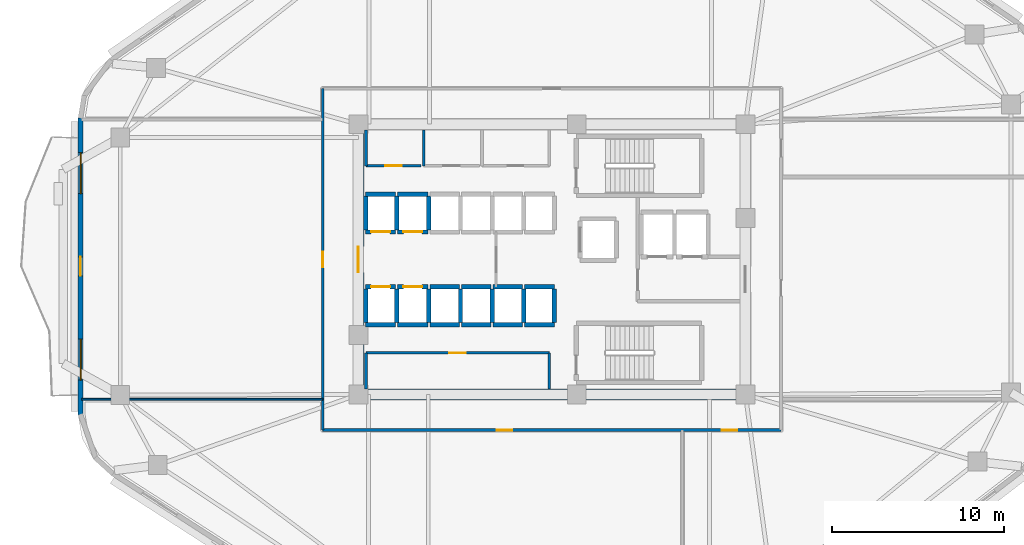
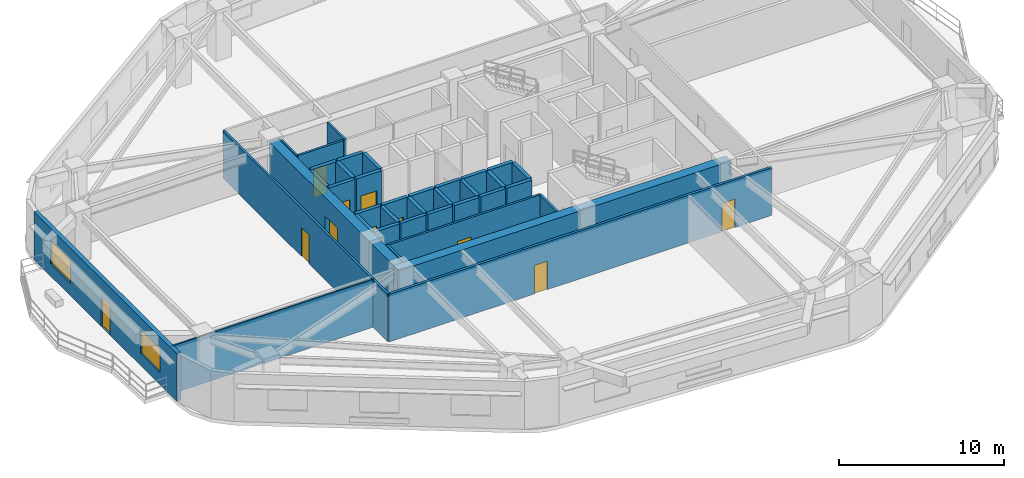
# One storey, part 3 of 9: 38 walls, 11 doors, 2 windows, 13 openings.
"""IFC4 building model written with IfcOpenShell, lengths in metres."""

import ifcopenshell
import ifcopenshell.guid

model = None  # the IFC model being written
_history = None  # IfcOwnerHistory: only IFC2X3 demands one
_inside = {}  # id of a spatial element -> (the spatial element, [elements in it])
_under = {}  # id of a project, library or spatial element -> (it, [spatial elements below it])
_declared = {}  # id of a project -> (the project, [libraries it declares])
_typed = {}  # id of a type object -> (the type object, [elements of that type])
_made_of = {}  # id of a material, layer set ... -> (it, [elements and type objects made of it])


def new_model(schema):
    """Start an empty IFC model of exactly this schema.

    Asked for "IFC4X3", IfcOpenShell would pick the latest addendum, in which some entities
    have other attributes; the version numbers below select the first issue.
    IFC2X3 requires an IfcOwnerHistory on every rooted entity: one is made here for all.
    """
    global model, _history
    if schema == "IFC4X3":
        model = ifcopenshell.file(schema_version=(4, 3, 0, 0))
    else:
        model = ifcopenshell.file(schema=schema)
    _inside.clear()
    _under.clear()
    _declared.clear()
    _typed.clear()
    _made_of.clear()
    _history = None
    if model.schema == "IFC2X3":
        org = make("IfcOrganization", Name="unknown")
        user = make(
            "IfcPersonAndOrganization",
            ThePerson=make("IfcPerson", FamilyName="unknown"),
            TheOrganization=org,
        )
        app = make(
            "IfcApplication",
            ApplicationDeveloper=org,
            Version="unknown",
            ApplicationFullName="unknown",
            ApplicationIdentifier="unknown",
        )
        _history = make(
            "IfcOwnerHistory",
            OwningUser=user,
            OwningApplication=app,
            ChangeAction="ADDED",
            CreationDate=0,
        )
    return model


def make(cls, **values):
    """One entity of the class cls with the attributes given. An attribute that is None is left unset."""
    return model.create_entity(
        cls, **{name: value for name, value in values.items() if value is not None}
    )


def rooted(cls, **values):
    """An entity with a GlobalId (a new one), such as an element, a storey or a relation."""
    return make(cls, GlobalId=ifcopenshell.guid.new(), OwnerHistory=_history, **values)


def si_unit(unit_type, name, prefix=None):
    """IfcSIUnit, for example si_unit("LENGTHUNIT", "METRE", prefix="MILLI")."""
    return make("IfcSIUnit", UnitType=unit_type, Prefix=prefix, Name=name)


def assignment(units):
    """IfcUnitAssignment: the units of a project."""
    return None if units is None else make("IfcUnitAssignment", Units=units)


def point(xyz):
    """IfcCartesianPoint."""
    return None if xyz is None else make("IfcCartesianPoint", Coordinates=xyz)


def direction(xyz):
    """IfcDirection."""
    return None if xyz is None else make("IfcDirection", DirectionRatios=xyz)


def frame(location, z_axis=None, x_axis=None):
    """IfcAxis2Placement3D, a coordinate frame: its origin and axes. An axis left out is left unset."""
    return make(
        "IfcAxis2Placement3D",
        Location=point(location),
        Axis=direction(z_axis),
        RefDirection=direction(x_axis),
    )


def frame_2d(location, x_axis=None):
    """IfcAxis2Placement2D, a coordinate frame in the plane: its origin and x axis."""
    return make(
        "IfcAxis2Placement2D", Location=point(location), RefDirection=direction(x_axis)
    )


def origin():
    """The frame at (0, 0, 0) with its axes left unset."""
    return frame((0.0, 0.0, 0.0))


def place(relative_to, where):
    """IfcLocalPlacement: puts the frame where relative to a parent placement (None: the world)."""
    return make(
        "IfcLocalPlacement", PlacementRelTo=relative_to, RelativePlacement=where
    )


def context(
    kind, dimensions, precision=None, world=None, true_north=None, identifier=None
):
    """IfcGeometricRepresentationContext, for example the 3D "Model" context."""
    return make(
        "IfcGeometricRepresentationContext",
        ContextIdentifier=identifier,
        ContextType=kind,
        CoordinateSpaceDimension=dimensions,
        Precision=precision,
        WorldCoordinateSystem=world,
        TrueNorth=true_north,
    )


def subcontext(parent, identifier, kind, view, scale=None):
    """IfcGeometricRepresentationSubContext, for example "Body" below "Model"."""
    return make(
        "IfcGeometricRepresentationSubContext",
        ContextIdentifier=identifier,
        ContextType=kind,
        ParentContext=parent,
        TargetScale=scale,
        TargetView=view,
    )


def project(units=None, contexts=None):
    """IfcProject with its units and contexts."""
    return rooted(
        "IfcProject",
        Name="project",
        RepresentationContexts=contexts,
        UnitsInContext=assignment(units),
    )


def spatial(cls, under=None, at=None, **own):
    """A site, building, storey or space (cls), placed at a placement, below another one or the project."""
    s = rooted(cls, ObjectPlacement=at, **own)
    if under is not None:
        _under.setdefault(under.id(), (under, []))[1].append(s)
    return s


def profile(cls, at=None, kind="AREA", **sizes):
    """A parametric profile (cls). Its sizes go by their IFC names, for example OverallWidth=200.0."""
    return make(cls, ProfileType=kind, Position=at, **sizes)


def rectangle(**sizes):
    """IfcRectangleProfileDef."""
    return profile("IfcRectangleProfileDef", **sizes)


def extrude(swept, where, along, depth):
    """IfcExtrudedAreaSolid: the profile swept, set in the frame where, extruded along a direction by depth."""
    return make(
        "IfcExtrudedAreaSolid",
        SweptArea=swept,
        Position=where,
        ExtrudedDirection=direction(along),
        Depth=depth,
    )


def shape(context_of_items, identifier, shape_type, items):
    """IfcShapeRepresentation: the items that make up one representation, for example the "Body"."""
    return make(
        "IfcShapeRepresentation",
        ContextOfItems=context_of_items,
        RepresentationIdentifier=identifier,
        RepresentationType=shape_type,
        Items=items,
    )


def material(Name=None, Category=None):
    """IfcMaterial."""
    return make("IfcMaterial", Name=Name, Category=Category)


def layer(
    of_material, thickness, ventilated=None, Name=None, Category=None, Priority=None
):
    """IfcMaterialLayer: one layer of a wall or slab, of a material (None: an air gap)."""
    return make(
        "IfcMaterialLayer",
        Material=of_material,
        LayerThickness=thickness,
        IsVentilated=ventilated,
        Name=Name,
        Category=Category,
        Priority=Priority,
    )


def layer_set(layers, Name=None):
    """IfcMaterialLayerSet."""
    return make("IfcMaterialLayerSet", MaterialLayers=layers, LayerSetName=Name)


def made_of(thing, what):
    """Note that an element or type object is made of a material, layer set ...; save() writes the relation."""
    if what is not None:
        _made_of.setdefault(what.id(), (what, []))[1].append(thing)
    return thing


def type_object(cls, material=None, **own):
    """A type object (cls), such as IfcWallType, which elements share."""
    return made_of(rooted(cls, **own), material)


def element(
    cls,
    number,
    at=None,
    inside=None,
    cuts=None,
    type_object=None,
    material=None,
    context=None,
    identifier="Body",
    shape_type=None,
    held_by="IfcProductDefinitionShape",
    body=None,
    shapes=None,
    **own,
):
    """One element of the class cls, such as IfcWall. Its Tag is "e" and its number.

    at: its placement. inside: the storey or other place that contains it. cuts: it is an
    opening in that element (IfcRelVoidsElement). A single representation is given by context,
    identifier, shape_type and body (its items); several are given by shapes. held_by: the class
    of the entity that holds the representations. save() writes the other relations.
    """
    e = rooted(cls, Tag="e%d" % number, ObjectPlacement=at, **own)
    if body is not None:
        shapes = [shape(context, identifier, shape_type, body)]
    if shapes is not None:
        e.Representation = make(held_by, Representations=shapes)
    if inside is not None:
        _inside.setdefault(inside.id(), (inside, []))[1].append(e)
    if cuts is not None:
        rooted(
            "IfcRelVoidsElement", RelatingBuildingElement=cuts, RelatedOpeningElement=e
        )
    if type_object is not None:
        _typed.setdefault(type_object.id(), (type_object, []))[1].append(e)
    return made_of(e, material)


def fill(opening, filler):
    """IfcRelFillsElement: the door or window that sits in an opening."""
    return rooted(
        "IfcRelFillsElement",
        RelatingOpeningElement=opening,
        RelatedBuildingElement=filler,
    )


def aggregate(whole, parts):
    """IfcRelAggregates: a whole, such as a stair, and the parts it consists of."""
    return rooted("IfcRelAggregates", RelatingObject=whole, RelatedObjects=parts)


def save(model, path):
    """Write the relations noted so far, then the file.

    IfcRelAggregates (storeys below a building ...), IfcRelContainedInSpatialStructure (elements
    in a storey), IfcRelDefinesByType, IfcRelAssociatesMaterial and IfcRelDeclares: one each for
    every whole, place, type object, material and project.
    """
    for whole, parts in _under.values():
        aggregate(whole, parts)
    for where, things in _inside.values():
        rooted(
            "IfcRelContainedInSpatialStructure",
            RelatedElements=things,
            RelatingStructure=where,
        )
    for kind, things in _typed.values():
        rooted("IfcRelDefinesByType", RelatedObjects=things, RelatingType=kind)
    for what, things in _made_of.values():
        rooted("IfcRelAssociatesMaterial", RelatedObjects=things, RelatingMaterial=what)
    for by, libraries in _declared.values():
        rooted("IfcRelDeclares", RelatingContext=by, RelatedDefinitions=libraries)
    model.write(path)


model = new_model("IFC4")

# Units and contexts
model_context = context("Model", 3, precision=1e-05, world=origin(), true_north=direction((0.0, 1.0)))
body_context = subcontext(model_context, "Body", "Model", "MODEL_VIEW")
ifc_project = project(units=[si_unit("LENGTHUNIT", "METRE"), si_unit("AREAUNIT", "SQUARE_METRE"), si_unit("VOLUMEUNIT", "CUBIC_METRE"), si_unit("PLANEANGLEUNIT", "RADIAN"), si_unit("MASSUNIT", "GRAM", prefix="KILO")], contexts=[model_context])

# Site, building, storey
site_placement = place(None, origin())
site = spatial("IfcSite", under=ifc_project, at=site_placement, CompositionType="ELEMENT")
building_placement = place(site_placement, origin())
building = spatial("IfcBuilding", under=site, at=building_placement, Name="Zulverin Broadcast Headquarters", CompositionType="ELEMENT")
storey_placement = place(building_placement, frame((0.0, 0.0, 104.800048828125)))
storey = spatial("IfcBuildingStorey", under=building, at=storey_placement, Name="L26", CompositionType="ELEMENT", Elevation=104.800048828125)

# Wall
ifc_material_1 = material(Name="Concrete C60/75", Category="concrete")
ifc_layer_1 = layer(ifc_material_1, 0.64990234375, Name="Concrete C60/75", Category="concrete")
ifc_layer_set_1 = layer_set([ifc_layer_1], Name="Concrete C60/75")
wall_type_1 = type_object("IfcWallType", Name="WL-CORE-650", PredefinedType="SHEAR", material=ifc_layer_set_1)
wall_1_placement = place(storey_placement, frame((25.39990234375, 17.324951171875, 0.0), z_axis=(0.0, 0.0, 1.0), x_axis=(1.0, 0.0, 0.0)))
element("IfcWall", 1, at=wall_1_placement, inside=storey, type_object=wall_type_1, Name="L26 Core South Shear Wall", PredefinedType="SHEAR", context=body_context, shape_type="SweptSolid", body=[
    extrude(rectangle(XDim=23.2001953125, YDim=0.64990234375, at=frame_2d((11.60009765625, 0.0))), origin(), (0.0, 0.0, 1.0), 3.52490234375),
])

# Wall, opening, door
wall_2_placement = place(storey_placement, frame((25.72509765625, 17.64990234375, 0.0), z_axis=(0.0, 0.0, 1.0), x_axis=(0.0, 1.0, 0.0)))
wall_2 = element("IfcWall", 2, at=wall_2_placement, inside=storey, type_object=wall_type_1, Name="L26 Core West Shear Wall", PredefinedType="SHEAR", context=body_context, shape_type="SweptSolid", body=[
    extrude(rectangle(XDim=15.10009765625, YDim=0.64990234375, at=frame_2d((7.550048828125, 0.0))), origin(), (0.0, 0.0, 1.0), 3.52490234375),
])
opening_1_placement = place(wall_2_placement, frame((6.800048828125, 0.0, 0.0)))
opening_1 = element("IfcOpeningElement", 3, at=opening_1_placement, cuts=wall_2, Name="Opening D-L26-CW1", PredefinedType="OPENING", context=body_context, shape_type="SweptSolid", body=[
    extrude(rectangle(XDim=1.5, YDim=2.14990234375, at=frame_2d((0.75, 1.074951171875))), frame((0.0, 0.3349609375, 0.0), z_axis=(0.0, -1.0, 0.0), x_axis=(1.0, 0.0, 0.0)), (0.0, 0.0, 1.0), 0.669921875),
])
ifc_material_2 = material(Name="Fire-rated glazed steel frame", Category="steel")
door_type_1 = type_object("IfcDoorType", Name="DR-COR-1500", OperationType="DOUBLE_DOOR_SINGLE_SWING", PredefinedType="DOOR", material=ifc_material_2)
door_1_placement = place(opening_1_placement, origin())
door_1 = element("IfcDoor", 4, at=door_1_placement, inside=storey, type_object=door_type_1, Name="L26 Central Lift Lobby West Portal Door", OperationType="DOUBLE_DOOR_SINGLE_SWING", OverallHeight=2.14990234375, OverallWidth=1.5, PredefinedType="DOOR", context=body_context, shape_type="SweptSolid", body=[
    extrude(rectangle(XDim=1.5, YDim=2.14990234375, at=frame_2d((0.75, 1.074951171875))), frame((0.0, 0.02490234375, 0.0), z_axis=(0.0, -1.0, 0.0), x_axis=(1.0, 0.0, 0.0)), (0.0, 0.0, 1.0), 0.050048828125),
])
fill(opening_1, door_1)

# Wall, openings, door, windows
ifc_material_3 = material(Name="Insulated pale-metal clad concrete spandrel C40/50", Category="concrete")
ifc_layer_2 = layer(ifc_material_3, 0.280029296875, Name="Insulated pale-metal clad concrete spandrel C40/50", Category="concrete")
ifc_layer_set_2 = layer_set([ifc_layer_2], Name="Insulated pale-metal clad concrete spandrel C40/50")
wall_type_2 = type_object("IfcWallType", Name="WL-EXT-280", PredefinedType="STANDARD", material=ifc_layer_set_2)
wall_3_placement = place(storey_placement, frame((9.5400390625, 33.4443359375, 0.0), z_axis=(0.0, 0.0, 1.0), x_axis=(0.0, -1.0, 0.0)))
wall_3 = element("IfcWall", 5, at=wall_3_placement, inside=storey, type_object=wall_type_2, Name="L26 Pale-Metal Clad Spandrel Wall 7", PredefinedType="STANDARD", context=body_context, shape_type="SweptSolid", body=[
    extrude(rectangle(XDim=17.30078125, YDim=0.280029296875, at=frame_2d((8.650390625, 0.0))), origin(), (0.0, 0.0, 1.0), 3.52490234375),
])
opening_2_placement = place(wall_3_placement, frame((8.100341796875, 0.0, 0.0)))
opening_2 = element("IfcOpeningElement", 6, at=opening_2_placement, cuts=wall_3, Name="Opening D-L26-TR7", PredefinedType="OPENING", context=body_context, shape_type="SweptSolid", body=[
    extrude(rectangle(XDim=1.10009765625, YDim=2.199951171875, at=frame_2d((0.550048828125, 1.10009765625))), frame((0.0, 0.14990234375, 0.0), z_axis=(0.0, -1.0, 0.0), x_axis=(1.0, 0.0, 0.0)), (0.0, 0.0, 1.0), 0.300048828125),
])
opening_3_placement = place(wall_3_placement, frame((2.016845703125, 0.0, 0.89990234375)))
opening_3 = element("IfcOpeningElement", 7, at=opening_3_placement, cuts=wall_3, Name="Opening W-L26-E71", PredefinedType="OPENING", context=body_context, shape_type="SweptSolid", body=[
    extrude(rectangle(XDim=2.39990234375, YDim=1.75, at=frame_2d((1.199951171875, 0.875))), frame((0.0, 0.14990234375, 0.0), z_axis=(0.0, -1.0, 0.0), x_axis=(1.0, 0.0, 0.0)), (0.0, 0.0, 1.0), 0.300048828125),
])
opening_4_placement = place(wall_3_placement, frame((12.884033203125, 0.0, 0.89990234375)))
opening_4 = element("IfcOpeningElement", 8, at=opening_4_placement, cuts=wall_3, Name="Opening W-L26-E72", PredefinedType="OPENING", context=body_context, shape_type="SweptSolid", body=[
    extrude(rectangle(XDim=2.39990234375, YDim=1.75, at=frame_2d((1.199951171875, 0.875))), frame((0.0, 0.14990234375, 0.0), z_axis=(0.0, -1.0, 0.0), x_axis=(1.0, 0.0, 0.0)), (0.0, 0.0, 1.0), 0.300048828125),
])
ifc_material_4 = material(Name="Thermally broken aluminium glazed", Category="aluminium")
door_type_2 = type_object("IfcDoorType", Name="DR-TERR-1100", OperationType="SINGLE_SWING_RIGHT", PredefinedType="DOOR", material=ifc_material_4)
door_2_placement = place(opening_2_placement, origin())
door_2 = element("IfcDoor", 9, at=door_2_placement, inside=storey, type_object=door_type_2, Name="L26 Planted Terrace Glazed Access Door 7", OperationType="SINGLE_SWING_RIGHT", OverallHeight=2.199951171875, OverallWidth=1.10009765625, PredefinedType="DOOR", context=body_context, shape_type="SweptSolid", body=[
    extrude(rectangle(XDim=1.10009765625, YDim=2.199951171875, at=frame_2d((0.550048828125, 1.10009765625))), frame((0.0, 0.02490234375, 0.0), z_axis=(0.0, -1.0, 0.0), x_axis=(1.0, 0.0, 0.0)), (0.0, 0.0, 1.0), 0.050048828125),
])
fill(opening_2, door_2)
ifc_material_5 = material(Name="Pale anodized aluminium frame with solar-control low-E double glazing", Category="aluminium")
window_type = type_object("IfcWindowType", Name="WIN-RIB-2400", PartitioningType="SINGLE_PANEL", PredefinedType="WINDOW", material=ifc_material_5)
window_1_placement = place(opening_3_placement, origin())
window_1 = element("IfcWindow", 10, at=window_1_placement, inside=storey, type_object=window_type, Name="L26 Ribbon Glazing Window 7 1", OverallHeight=1.75, OverallWidth=2.39990234375, PartitioningType="SINGLE_PANEL", PredefinedType="WINDOW", context=body_context, shape_type="SweptSolid", body=[
    extrude(rectangle(XDim=2.39990234375, YDim=1.75, at=frame_2d((1.199951171875, 0.875))), frame((0.0, 0.030029296875, 0.0), z_axis=(0.0, -1.0, 0.0), x_axis=(1.0, 0.0, 0.0)), (0.0, 0.0, 1.0), 0.06005859375),
])
fill(opening_3, window_1)
window_2_placement = place(opening_4_placement, origin())
window_2 = element("IfcWindow", 11, at=window_2_placement, inside=storey, type_object=window_type, Name="L26 Ribbon Glazing Window 7 2", OverallHeight=1.75, OverallWidth=2.39990234375, PartitioningType="SINGLE_PANEL", PredefinedType="WINDOW", context=body_context, shape_type="SweptSolid", body=[
    extrude(rectangle(XDim=2.39990234375, YDim=1.75, at=frame_2d((1.199951171875, 0.875))), frame((0.0, 0.030029296875, 0.0), z_axis=(0.0, -1.0, 0.0), x_axis=(1.0, 0.0, 0.0)), (0.0, 0.0, 1.0), 0.06005859375),
])
fill(opening_4, window_2)

# Wall
ifc_material_6 = material(Name="Fire-rated acoustic laminated glass screen", Category="glass")
ifc_layer_3 = layer(ifc_material_6, 0.10009765625, Name="Fire-rated acoustic laminated glass screen", Category="glass")
ifc_layer_set_3 = layer_set([ifc_layer_3], Name="Fire-rated acoustic laminated glass screen")
wall_type_3 = type_object("IfcWallType", Name="WL-GLAZ-100", PredefinedType="PARTITIONING", material=ifc_layer_set_3)
wall_4_placement = place(storey_placement, frame((9.60498046875, 17.050048828125, 0.0), z_axis=(0.0, 0.0, 1.0), x_axis=(1.0, 0.0, 0.0)))
element("IfcWall", 12, at=wall_4_placement, inside=storey, type_object=wall_type_3, Name="L26 Room Partition Wall RP-05", PredefinedType="PARTITIONING", context=body_context, shape_type="SweptSolid", body=[
    extrude(rectangle(XDim=14.044921875, YDim=0.10009765625, at=frame_2d((7.0224609375, 0.0))), origin(), (0.0, 0.0, 1.0), 3.52490234375),
])

# Wall, opening, door
ifc_material_7 = material(Name="Fire-rated gypsum stud partition", Category="gypsum")
ifc_layer_4 = layer(ifc_material_7, 0.14990234375, Name="Fire-rated gypsum stud partition", Category="gypsum")
ifc_layer_set_4 = layer_set([ifc_layer_4], Name="Fire-rated gypsum stud partition")
wall_type_4 = type_object("IfcWallType", Name="WL-PART-150", PredefinedType="PARTITIONING", material=ifc_layer_set_4)
wall_5_placement = place(storey_placement, frame((26.169921875, 30.64990234375, 0.0), z_axis=(0.0, 0.0, 1.0), x_axis=(1.0, 0.0, 0.0)))
wall_5 = element("IfcWall", 13, at=wall_5_placement, inside=storey, type_object=wall_type_4, Name="L26 Core Accessible WC Front Wall", PredefinedType="PARTITIONING", context=body_context, shape_type="SweptSolid", body=[
    extrude(rectangle(XDim=3.2001953125, YDim=0.14990234375, at=frame_2d((1.60009765625, 0.0))), origin(), (0.0, 0.0, 1.0), 3.52490234375),
])
opening_5_placement = place(wall_5_placement, frame((1.125, 0.0, 0.0)))
opening_5 = element("IfcOpeningElement", 14, at=opening_5_placement, cuts=wall_5, Name="Opening D-L26-NC1", PredefinedType="OPENING", context=body_context, shape_type="SweptSolid", body=[
    extrude(rectangle(XDim=0.949951171875, YDim=2.10009765625, at=frame_2d((0.47509765625, 1.050048828125))), frame((0.0, 0.0849609375, 0.0), z_axis=(0.0, -1.0, 0.0), x_axis=(1.0, 0.0, 0.0)), (0.0, 0.0, 1.0), 0.169921875),
])
ifc_material_8 = material(Name="Fire-rated moisture-resistant laminate leaf", Category="wood")
door_type_3 = type_object("IfcDoorType", Name="DR-WC-950", OperationType="SINGLE_SWING_LEFT", PredefinedType="DOOR", material=ifc_material_8)
door_3_placement = place(opening_5_placement, origin())
door_3 = element("IfcDoor", 15, at=door_3_placement, inside=storey, type_object=door_type_3, Name="L26 Accessible WC Door", OperationType="SINGLE_SWING_LEFT", OverallHeight=2.10009765625, OverallWidth=0.949951171875, PredefinedType="DOOR", context=body_context, shape_type="SweptSolid", body=[
    extrude(rectangle(XDim=0.949951171875, YDim=2.10009765625, at=frame_2d((0.47509765625, 1.050048828125))), frame((0.0, 0.02490234375, 0.0), z_axis=(0.0, -1.0, 0.0), x_axis=(1.0, 0.0, 0.0)), (0.0, 0.0, 1.0), 0.050048828125),
])
fill(opening_5, door_3)

# Walls
for number, where, z_axis, x_axis, name in (
    (16, (26.169921875, 30.64990234375, 0.0), (0.0, 0.0, 1.0), (0.0, 1.0, 0.0), "L26 Core Accessible WC West Wall"),
    (17, (29.530029296875, 30.64990234375, 0.0), (0.0, 0.0, 1.0), (0.0, 1.0, 0.0), "L26 Core Male WC West Wall"),
):
    element("IfcWall", number, at=place(storey_placement, frame(where, z_axis=z_axis, x_axis=x_axis)), inside=storey, type_object=wall_type_4, Name=name, PredefinedType="PARTITIONING", context=body_context, shape_type="SweptSolid", body=[
        extrude(rectangle(XDim=2.10009765625, YDim=0.14990234375, at=frame_2d((1.050048828125, 0.0))), origin(), (0.0, 0.0, 1.0), 3.52490234375),
    ])

# Wall, opening, door
wall_6_placement = place(storey_placement, frame((26.169921875, 19.75, 0.0), z_axis=(0.0, 0.0, 1.0), x_axis=(1.0, 0.0, 0.0)))
wall_6 = element("IfcWall", 18, at=wall_6_placement, inside=storey, type_object=wall_type_4, Name="L26 Core Female WC & Facilities Room Front Wall", PredefinedType="PARTITIONING", context=body_context, shape_type="SweptSolid", body=[
    extrude(rectangle(XDim=10.68017578125, YDim=0.14990234375, at=frame_2d((5.340087890625, 0.0))), origin(), (0.0, 0.0, 1.0), 3.52490234375),
])
opening_6_placement = place(wall_6_placement, frame((4.864990234375, 0.0, 0.0)))
opening_6 = element("IfcOpeningElement", 19, at=opening_6_placement, cuts=wall_6, Name="Opening D-L26-SC1", PredefinedType="OPENING", context=body_context, shape_type="SweptSolid", body=[
    extrude(rectangle(XDim=0.949951171875, YDim=2.10009765625, at=frame_2d((0.47509765625, 1.050048828125))), frame((0.0, 0.0849609375, 0.0), z_axis=(0.0, -1.0, 0.0), x_axis=(1.0, 0.0, 0.0)), (0.0, 0.0, 1.0), 0.169921875),
])
door_4_placement = place(opening_6_placement, origin())
door_4 = element("IfcDoor", 20, at=door_4_placement, inside=storey, type_object=door_type_3, Name="L26 Female WC & Facilities Room Door", OperationType="SINGLE_SWING_RIGHT", OverallHeight=2.10009765625, OverallWidth=0.949951171875, PredefinedType="DOOR", context=body_context, shape_type="SweptSolid", body=[
    extrude(rectangle(XDim=0.949951171875, YDim=2.10009765625, at=frame_2d((0.47509765625, 1.050048828125))), frame((0.0, 0.02490234375, 0.0), z_axis=(0.0, -1.0, 0.0), x_axis=(1.0, 0.0, 0.0)), (0.0, 0.0, 1.0), 0.050048828125),
])
fill(opening_6, door_4)

# Walls
for number, where, z_axis, x_axis, name in (
    (21, (26.169921875, 17.64990234375, 0.0), (0.0, 0.0, 1.0), (0.0, 1.0, 0.0), "L26 Core Female WC & Facilities Room West Wall"),
    (22, (36.85009765625, 17.64990234375, 0.0), (0.0, 0.0, 1.0), (0.0, 1.0, 0.0), "L26 Core Female WC & Facilities Room East Wall"),
):
    element("IfcWall", number, at=place(storey_placement, frame(where, z_axis=z_axis, x_axis=x_axis)), inside=storey, type_object=wall_type_4, Name=name, PredefinedType="PARTITIONING", context=body_context, shape_type="SweptSolid", body=[
        extrude(rectangle(XDim=2.10009765625, YDim=0.14990234375, at=frame_2d((1.050048828125, 0.0))), origin(), (0.0, 0.0, 1.0), 3.52490234375),
    ])

# Wall, opening, door
wall_7_placement = place(storey_placement, frame((23.64990234375, 15.25, 0.0), z_axis=(0.0, 0.0, 1.0), x_axis=(0.0, 1.0, 0.0)))
wall_7 = element("IfcWall", 23, at=wall_7_placement, inside=storey, type_object=wall_type_4, Name="L26 Gallery Partition Wall CG-03", PredefinedType="PARTITIONING", context=body_context, shape_type="SweptSolid", body=[
    extrude(rectangle(XDim=19.89990234375, YDim=0.14990234375, at=frame_2d((9.949951171875, 0.0))), origin(), (0.0, 0.0, 1.0), 3.52490234375),
])
opening_7_placement = place(wall_7_placement, frame((9.5, 0.0, 0.0)))
opening_7 = element("IfcOpeningElement", 24, at=opening_7_placement, cuts=wall_7, Name="Opening D-L26-04", PredefinedType="OPENING", context=body_context, shape_type="SweptSolid", body=[
    extrude(rectangle(XDim=0.89990234375, YDim=2.10009765625, at=frame_2d((0.449951171875, 1.050048828125))), frame((0.0, 0.0849609375, 0.0), z_axis=(0.0, -1.0, 0.0), x_axis=(1.0, 0.0, 0.0)), (0.0, 0.0, 1.0), 0.169921875),
])
ifc_material_9 = material(Name="Fire-rated hardwood veneer timber leaf", Category="wood")
door_type_4 = type_object("IfcDoorType", Name="DR-ROOM-900", OperationType="SINGLE_SWING_RIGHT", PredefinedType="DOOR", material=ifc_material_9)
door_5_placement = place(opening_7_placement, origin())
door_5 = element("IfcDoor", 25, at=door_5_placement, inside=storey, type_object=door_type_4, Name="L26 Media Library Gallery Door", OperationType="SINGLE_SWING_LEFT", OverallHeight=2.10009765625, OverallWidth=0.89990234375, PredefinedType="DOOR", context=body_context, shape_type="SweptSolid", body=[
    extrude(rectangle(XDim=0.89990234375, YDim=2.10009765625, at=frame_2d((0.449951171875, 1.050048828125))), frame((0.0, 0.02490234375, 0.0), z_axis=(0.0, -1.0, 0.0), x_axis=(1.0, 0.0, 0.0)), (0.0, 0.0, 1.0), 0.050048828125),
])
fill(opening_7, door_5)

# Wall, openings, doors
ifc_material_10 = material(Name="Fire-rated acoustic stud wall", Category="gypsum")
ifc_layer_5 = layer(ifc_material_10, 0.175048828125, Name="Fire-rated acoustic stud wall", Category="gypsum")
ifc_layer_set_5 = layer_set([ifc_layer_5], Name="Fire-rated acoustic stud wall")
wall_type_5 = type_object("IfcWallType", Name="WL-PART-175", PredefinedType="PARTITIONING", material=ifc_layer_set_5)
wall_8_placement = place(storey_placement, frame((23.64990234375, 15.25, 0.0), z_axis=(0.0, 0.0, 1.0), x_axis=(1.0, 0.0, 0.0)))
wall_8 = element("IfcWall", 26, at=wall_8_placement, inside=storey, type_object=wall_type_5, Name="L26 Gallery Partition Wall CG-04", PredefinedType="PARTITIONING", context=body_context, shape_type="SweptSolid", body=[
    extrude(rectangle(XDim=26.7001953125, YDim=0.175048828125, at=frame_2d((13.35009765625, 0.0))), origin(), (0.0, 0.0, 1.0), 3.52490234375),
])
opening_8_placement = place(wall_8_placement, frame((10.14501953125, 0.0, 0.0)))
opening_8 = element("IfcOpeningElement", 27, at=opening_8_placement, cuts=wall_8, Name="Opening D-L26-02", PredefinedType="OPENING", context=body_context, shape_type="SweptSolid", body=[
    extrude(rectangle(XDim=0.89990234375, YDim=2.10009765625, at=frame_2d((0.449951171875, 1.050048828125))), frame((0.0, 0.097412109375, 0.0), z_axis=(0.0, -1.0, 0.0), x_axis=(1.0, 0.0, 0.0)), (0.0, 0.0, 1.0), 0.195068359375),
])
opening_9_placement = place(wall_8_placement, frame((23.2548828125, 0.0, 0.0)))
opening_9 = element("IfcOpeningElement", 28, at=opening_9_placement, cuts=wall_8, Name="Opening D-L26-03", PredefinedType="OPENING", context=body_context, shape_type="SweptSolid", body=[
    extrude(rectangle(XDim=0.89990234375, YDim=2.10009765625, at=frame_2d((0.449951171875, 1.050048828125))), frame((0.0, 0.097412109375, 0.0), z_axis=(0.0, -1.0, 0.0), x_axis=(1.0, 0.0, 0.0)), (0.0, 0.0, 1.0), 0.195068359375),
])
door_6_placement = place(opening_8_placement, origin())
door_6 = element("IfcDoor", 29, at=door_6_placement, inside=storey, type_object=door_type_4, Name="L26 Editorial Meeting Room Door", OperationType="SINGLE_SWING_LEFT", OverallHeight=2.10009765625, OverallWidth=0.89990234375, PredefinedType="DOOR", context=body_context, shape_type="SweptSolid", body=[
    extrude(rectangle(XDim=0.89990234375, YDim=2.10009765625, at=frame_2d((0.449951171875, 1.050048828125))), frame((0.0, 0.02490234375, 0.0), z_axis=(0.0, -1.0, 0.0), x_axis=(1.0, 0.0, 0.0)), (0.0, 0.0, 1.0), 0.050048828125),
])
fill(opening_8, door_6)
door_7_placement = place(opening_9_placement, origin())
door_7 = element("IfcDoor", 30, at=door_7_placement, inside=storey, type_object=door_type_4, Name="L26 Staff Dining Canteen Door", OperationType="SINGLE_SWING_RIGHT", OverallHeight=2.10009765625, OverallWidth=0.89990234375, PredefinedType="DOOR", context=body_context, shape_type="SweptSolid", body=[
    extrude(rectangle(XDim=0.89990234375, YDim=2.10009765625, at=frame_2d((0.449951171875, 1.050048828125))), frame((0.0, 0.02490234375, 0.0), z_axis=(0.0, -1.0, 0.0), x_axis=(1.0, 0.0, 0.0)), (0.0, 0.0, 1.0), 0.050048828125),
])
fill(opening_9, door_7)

# Wall, opening, door
ifc_material_11 = material(Name="Concrete C50/60", Category="concrete")
ifc_layer_6 = layer(ifc_material_11, 0.25, Name="Concrete C50/60", Category="concrete")
ifc_layer_set_6 = layer_set([ifc_layer_6], Name="Concrete C50/60")
wall_type_6 = type_object("IfcWallType", Name="WL-SHAFT-250", PredefinedType="SHEAR", material=ifc_layer_set_6)
wall_9_placement = place(storey_placement, frame((26.14990234375, 26.800048828125, 0.0), z_axis=(0.0, 0.0, 1.0), x_axis=(1.0, 0.0, 0.0)))
wall_9 = element("IfcWall", 31, at=wall_9_placement, inside=storey, type_object=wall_type_6, Name="L26 Lift PL-L1 Shaft Wall S", PredefinedType="SHEAR", context=body_context, shape_type="SweptSolid", body=[
    extrude(rectangle(XDim=1.75, YDim=0.25, at=frame_2d((0.875, 0.0))), origin(), (0.0, 0.0, 1.0), 3.52490234375),
])
opening_10_placement = place(wall_9_placement, frame((0.324951171875, 0.0, 0.0)))
opening_10 = element("IfcOpeningElement", 32, at=opening_10_placement, cuts=wall_9, Name="Opening LD-PL-L1-L26", PredefinedType="OPENING", context=body_context, shape_type="SweptSolid", body=[
    extrude(rectangle(XDim=1.10009765625, YDim=2.14990234375, at=frame_2d((0.550048828125, 1.074951171875))), frame((0.0, 0.135009765625, 0.0), z_axis=(0.0, -1.0, 0.0), x_axis=(1.0, 0.0, 0.0)), (0.0, 0.0, 1.0), 0.27001953125),
])
ifc_material_12 = material(Name="Brushed stainless steel landing", Category="steel")
door_type_5 = type_object("IfcDoorType", Name="LD-PASS-1100", OperationType="DOUBLE_DOOR_SLIDING", PredefinedType="DOOR", material=ifc_material_12)
door_8_placement = place(opening_10_placement, origin())
door_8 = element("IfcDoor", 33, at=door_8_placement, inside=storey, type_object=door_type_5, Name="L26 Lift PL-L1 Sliding Landing Door", OperationType="DOUBLE_DOOR_SLIDING", OverallHeight=2.14990234375, OverallWidth=1.10009765625, PredefinedType="DOOR", context=body_context, shape_type="SweptSolid", body=[
    extrude(rectangle(XDim=1.10009765625, YDim=2.14990234375, at=frame_2d((0.550048828125, 1.074951171875))), frame((0.0, 0.02490234375, 0.0), z_axis=(0.0, -1.0, 0.0), x_axis=(1.0, 0.0, 0.0)), (0.0, 0.0, 1.0), 0.050048828125),
])
fill(opening_10, door_8)

# Walls
wall_10_placement = place(storey_placement, frame((26.14990234375, 29.0, 0.0), z_axis=(0.0, 0.0, 1.0), x_axis=(1.0, 0.0, 0.0)))
element("IfcWall", 34, at=wall_10_placement, inside=storey, type_object=wall_type_6, Name="L26 Lift PL-L1 Shaft Wall N", PredefinedType="SHEAR", context=body_context, shape_type="SweptSolid", body=[
    extrude(rectangle(XDim=1.75, YDim=0.25, at=frame_2d((0.875, 0.0))), origin(), (0.0, 0.0, 1.0), 3.52490234375),
])
for number, where, z_axis, x_axis, name in (
    (35, (26.14990234375, 26.919921875, 0.0), (0.0, 0.0, 1.0), (0.0, 1.0, 0.0), "L26 Lift PL-L1 Shaft Wall W"),
    (36, (27.9599609375, 26.919921875, 0.0), (0.0, 0.0, 1.0), (0.0, 1.0, 0.0), "L26 Lift PL-L1 Shaft Wall E"),
):
    element("IfcWall", number, at=place(storey_placement, frame(where, z_axis=z_axis, x_axis=x_axis)), inside=storey, type_object=wall_type_6, Name=name, PredefinedType="SHEAR", context=body_context, shape_type="SweptSolid", body=[
        extrude(rectangle(XDim=1.9599609375, YDim=0.25, at=frame_2d((0.97998046875, 0.0))), origin(), (0.0, 0.0, 1.0), 3.52490234375),
    ])

# Wall, opening, door
wall_11_placement = place(storey_placement, frame((28.02001953125, 26.800048828125, 0.0), z_axis=(0.0, 0.0, 1.0), x_axis=(1.0, 0.0, 0.0)))
wall_11 = element("IfcWall", 37, at=wall_11_placement, inside=storey, type_object=wall_type_6, Name="L26 Lift PL-L2 Shaft Wall S", PredefinedType="SHEAR", context=body_context, shape_type="SweptSolid", body=[
    extrude(rectangle(XDim=1.75, YDim=0.25, at=frame_2d((0.875, 0.0))), origin(), (0.0, 0.0, 1.0), 3.52490234375),
])
opening_11_placement = place(wall_11_placement, frame((0.324951171875, 0.0, 0.0)))
opening_11 = element("IfcOpeningElement", 38, at=opening_11_placement, cuts=wall_11, Name="Opening LD-PL-L2-L26", PredefinedType="OPENING", context=body_context, shape_type="SweptSolid", body=[
    extrude(rectangle(XDim=1.10009765625, YDim=2.14990234375, at=frame_2d((0.550048828125, 1.074951171875))), frame((0.0, 0.135009765625, 0.0), z_axis=(0.0, -1.0, 0.0), x_axis=(1.0, 0.0, 0.0)), (0.0, 0.0, 1.0), 0.27001953125),
])
door_9_placement = place(opening_11_placement, origin())
door_9 = element("IfcDoor", 39, at=door_9_placement, inside=storey, type_object=door_type_5, Name="L26 Lift PL-L2 Sliding Landing Door", OperationType="DOUBLE_DOOR_SLIDING", OverallHeight=2.14990234375, OverallWidth=1.10009765625, PredefinedType="DOOR", context=body_context, shape_type="SweptSolid", body=[
    extrude(rectangle(XDim=1.10009765625, YDim=2.14990234375, at=frame_2d((0.550048828125, 1.074951171875))), frame((0.0, 0.02490234375, 0.0), z_axis=(0.0, -1.0, 0.0), x_axis=(1.0, 0.0, 0.0)), (0.0, 0.0, 1.0), 0.050048828125),
])
fill(opening_11, door_9)

# Walls
wall_12_placement = place(storey_placement, frame((28.02001953125, 29.0, 0.0), z_axis=(0.0, 0.0, 1.0), x_axis=(1.0, 0.0, 0.0)))
element("IfcWall", 40, at=wall_12_placement, inside=storey, type_object=wall_type_6, Name="L26 Lift PL-L2 Shaft Wall N", PredefinedType="SHEAR", context=body_context, shape_type="SweptSolid", body=[
    extrude(rectangle(XDim=1.75, YDim=0.25, at=frame_2d((0.875, 0.0))), origin(), (0.0, 0.0, 1.0), 3.52490234375),
])
wall_13_placement = place(storey_placement, frame((29.8349609375, 26.919921875, 0.0), z_axis=(0.0, 0.0, 1.0), x_axis=(0.0, 1.0, 0.0)))
element("IfcWall", 41, at=wall_13_placement, inside=storey, type_object=wall_type_6, Name="L26 Lift PL-L2 Shaft Wall E", PredefinedType="SHEAR", context=body_context, shape_type="SweptSolid", body=[
    extrude(rectangle(XDim=1.9599609375, YDim=0.25, at=frame_2d((0.97998046875, 0.0))), origin(), (0.0, 0.0, 1.0), 3.52490234375),
])
wall_14_placement = place(storey_placement, frame((26.14990234375, 21.39990234375, 0.0), z_axis=(0.0, 0.0, 1.0), x_axis=(1.0, 0.0, 0.0)))
element("IfcWall", 42, at=wall_14_placement, inside=storey, type_object=wall_type_6, Name="L26 Lift PL-L3 Shaft Wall S", PredefinedType="SHEAR", context=body_context, shape_type="SweptSolid", body=[
    extrude(rectangle(XDim=1.75, YDim=0.25, at=frame_2d((0.875, 0.0))), origin(), (0.0, 0.0, 1.0), 3.52490234375),
])

# Wall, opening, door
wall_15_placement = place(storey_placement, frame((26.14990234375, 23.60009765625, 0.0), z_axis=(0.0, 0.0, 1.0), x_axis=(1.0, 0.0, 0.0)))
wall_15 = element("IfcWall", 43, at=wall_15_placement, inside=storey, type_object=wall_type_6, Name="L26 Lift PL-L3 Shaft Wall N", PredefinedType="SHEAR", context=body_context, shape_type="SweptSolid", body=[
    extrude(rectangle(XDim=1.75, YDim=0.25, at=frame_2d((0.875, 0.0))), origin(), (0.0, 0.0, 1.0), 3.52490234375),
])
opening_12_placement = place(wall_15_placement, frame((0.324951171875, 0.0, 0.0)))
opening_12 = element("IfcOpeningElement", 44, at=opening_12_placement, cuts=wall_15, Name="Opening LD-PL-L3-L26", PredefinedType="OPENING", context=body_context, shape_type="SweptSolid", body=[
    extrude(rectangle(XDim=1.10009765625, YDim=2.14990234375, at=frame_2d((0.550048828125, 1.074951171875))), frame((0.0, 0.135009765625, 0.0), z_axis=(0.0, -1.0, 0.0), x_axis=(1.0, 0.0, 0.0)), (0.0, 0.0, 1.0), 0.27001953125),
])
door_10_placement = place(opening_12_placement, origin())
door_10 = element("IfcDoor", 45, at=door_10_placement, inside=storey, type_object=door_type_5, Name="L26 Lift PL-L3 Sliding Landing Door", OperationType="DOUBLE_DOOR_SLIDING", OverallHeight=2.14990234375, OverallWidth=1.10009765625, PredefinedType="DOOR", context=body_context, shape_type="SweptSolid", body=[
    extrude(rectangle(XDim=1.10009765625, YDim=2.14990234375, at=frame_2d((0.550048828125, 1.074951171875))), frame((0.0, 0.02490234375, 0.0), z_axis=(0.0, -1.0, 0.0), x_axis=(1.0, 0.0, 0.0)), (0.0, 0.0, 1.0), 0.050048828125),
])
fill(opening_12, door_10)

# Walls
for number, where, z_axis, x_axis, name in (
    (46, (26.14990234375, 21.52001953125, 0.0), (0.0, 0.0, 1.0), (0.0, 1.0, 0.0), "L26 Lift PL-L3 Shaft Wall W"),
    (47, (27.9599609375, 21.52001953125, 0.0), (0.0, 0.0, 1.0), (0.0, 1.0, 0.0), "L26 Lift PL-L3 Shaft Wall E"),
):
    element("IfcWall", number, at=place(storey_placement, frame(where, z_axis=z_axis, x_axis=x_axis)), inside=storey, type_object=wall_type_6, Name=name, PredefinedType="SHEAR", context=body_context, shape_type="SweptSolid", body=[
        extrude(rectangle(XDim=1.9599609375, YDim=0.25, at=frame_2d((0.97998046875, 0.0))), origin(), (0.0, 0.0, 1.0), 3.52490234375),
    ])
wall_16_placement = place(storey_placement, frame((28.02001953125, 21.39990234375, 0.0), z_axis=(0.0, 0.0, 1.0), x_axis=(1.0, 0.0, 0.0)))
element("IfcWall", 48, at=wall_16_placement, inside=storey, type_object=wall_type_6, Name="L26 Lift PL-L4 Shaft Wall S", PredefinedType="SHEAR", context=body_context, shape_type="SweptSolid", body=[
    extrude(rectangle(XDim=1.75, YDim=0.25, at=frame_2d((0.875, 0.0))), origin(), (0.0, 0.0, 1.0), 3.52490234375),
])

# Wall, opening, door
wall_17_placement = place(storey_placement, frame((28.02001953125, 23.60009765625, 0.0), z_axis=(0.0, 0.0, 1.0), x_axis=(1.0, 0.0, 0.0)))
wall_17 = element("IfcWall", 49, at=wall_17_placement, inside=storey, type_object=wall_type_6, Name="L26 Lift PL-L4 Shaft Wall N", PredefinedType="SHEAR", context=body_context, shape_type="SweptSolid", body=[
    extrude(rectangle(XDim=1.75, YDim=0.25, at=frame_2d((0.875, 0.0))), origin(), (0.0, 0.0, 1.0), 3.52490234375),
])
opening_13_placement = place(wall_17_placement, frame((0.324951171875, 0.0, 0.0)))
opening_13 = element("IfcOpeningElement", 50, at=opening_13_placement, cuts=wall_17, Name="Opening LD-PL-L4-L26", PredefinedType="OPENING", context=body_context, shape_type="SweptSolid", body=[
    extrude(rectangle(XDim=1.10009765625, YDim=2.14990234375, at=frame_2d((0.550048828125, 1.074951171875))), frame((0.0, 0.135009765625, 0.0), z_axis=(0.0, -1.0, 0.0), x_axis=(1.0, 0.0, 0.0)), (0.0, 0.0, 1.0), 0.27001953125),
])
door_11_placement = place(opening_13_placement, origin())
door_11 = element("IfcDoor", 51, at=door_11_placement, inside=storey, type_object=door_type_5, Name="L26 Lift PL-L4 Sliding Landing Door", OperationType="DOUBLE_DOOR_SLIDING", OverallHeight=2.14990234375, OverallWidth=1.10009765625, PredefinedType="DOOR", context=body_context, shape_type="SweptSolid", body=[
    extrude(rectangle(XDim=1.10009765625, YDim=2.14990234375, at=frame_2d((0.550048828125, 1.074951171875))), frame((0.0, 0.02490234375, 0.0), z_axis=(0.0, -1.0, 0.0), x_axis=(1.0, 0.0, 0.0)), (0.0, 0.0, 1.0), 0.050048828125),
])
fill(opening_13, door_11)

# Walls
wall_18_placement = place(storey_placement, frame((29.8349609375, 21.52001953125, 0.0), z_axis=(0.0, 0.0, 1.0), x_axis=(0.0, 1.0, 0.0)))
element("IfcWall", 52, at=wall_18_placement, inside=storey, type_object=wall_type_6, Name="L26 Lift PL-L4 Shaft Wall E", PredefinedType="SHEAR", context=body_context, shape_type="SweptSolid", body=[
    extrude(rectangle(XDim=1.9599609375, YDim=0.25, at=frame_2d((0.97998046875, 0.0))), origin(), (0.0, 0.0, 1.0), 3.52490234375),
])
for number, where, z_axis, x_axis, name in (
    (53, (29.89990234375, 21.39990234375, 0.0), (0.0, 0.0, 1.0), (1.0, 0.0, 0.0), "L26 Lift PL-M1 Shaft Wall S"),
    (54, (29.89990234375, 23.60009765625, 0.0), (0.0, 0.0, 1.0), (1.0, 0.0, 0.0), "L26 Lift PL-M1 Shaft Wall N"),
):
    element("IfcWall", number, at=place(storey_placement, frame(where, z_axis=z_axis, x_axis=x_axis)), inside=storey, type_object=wall_type_6, Name=name, PredefinedType="SHEAR", context=body_context, shape_type="SweptSolid", body=[
        extrude(rectangle(XDim=1.72021484375, YDim=0.25, at=frame_2d((0.860107421875, 0.0))), origin(), (0.0, 0.0, 1.0), 3.52490234375),
    ])
wall_19_placement = place(storey_placement, frame((31.679931640625, 21.52001953125, 0.0), z_axis=(0.0, 0.0, 1.0), x_axis=(0.0, 1.0, 0.0)))
element("IfcWall", 55, at=wall_19_placement, inside=storey, type_object=wall_type_6, Name="L26 Lift PL-M1 Shaft Wall E", PredefinedType="SHEAR", context=body_context, shape_type="SweptSolid", body=[
    extrude(rectangle(XDim=1.9599609375, YDim=0.25, at=frame_2d((0.97998046875, 0.0))), origin(), (0.0, 0.0, 1.0), 3.52490234375),
])
for number, where, z_axis, x_axis, name in (
    (56, (31.739990234375, 21.39990234375, 0.0), (0.0, 0.0, 1.0), (1.0, 0.0, 0.0), "L26 Lift PL-M2 Shaft Wall S"),
    (57, (31.739990234375, 23.60009765625, 0.0), (0.0, 0.0, 1.0), (1.0, 0.0, 0.0), "L26 Lift PL-M2 Shaft Wall N"),
):
    element("IfcWall", number, at=place(storey_placement, frame(where, z_axis=z_axis, x_axis=x_axis)), inside=storey, type_object=wall_type_6, Name=name, PredefinedType="SHEAR", context=body_context, shape_type="SweptSolid", body=[
        extrude(rectangle(XDim=1.719970703125, YDim=0.25, at=frame_2d((0.85986328125, 0.0))), origin(), (0.0, 0.0, 1.0), 3.52490234375),
    ])
wall_20_placement = place(storey_placement, frame((33.52001953125, 21.52001953125, 0.0), z_axis=(0.0, 0.0, 1.0), x_axis=(0.0, 1.0, 0.0)))
element("IfcWall", 58, at=wall_20_placement, inside=storey, type_object=wall_type_6, Name="L26 Lift PL-M2 Shaft Wall E", PredefinedType="SHEAR", context=body_context, shape_type="SweptSolid", body=[
    extrude(rectangle(XDim=1.9599609375, YDim=0.25, at=frame_2d((0.97998046875, 0.0))), origin(), (0.0, 0.0, 1.0), 3.52490234375),
])
for number, where, z_axis, x_axis, name in (
    (59, (33.580078125, 21.39990234375, 0.0), (0.0, 0.0, 1.0), (1.0, 0.0, 0.0), "L26 Lift PL-M3 Shaft Wall S"),
    (60, (33.580078125, 23.60009765625, 0.0), (0.0, 0.0, 1.0), (1.0, 0.0, 0.0), "L26 Lift PL-M3 Shaft Wall N"),
):
    element("IfcWall", number, at=place(storey_placement, frame(where, z_axis=z_axis, x_axis=x_axis)), inside=storey, type_object=wall_type_6, Name=name, PredefinedType="SHEAR", context=body_context, shape_type="SweptSolid", body=[
        extrude(rectangle(XDim=1.719970703125, YDim=0.25, at=frame_2d((0.85986328125, 0.0))), origin(), (0.0, 0.0, 1.0), 3.52490234375),
    ])
wall_21_placement = place(storey_placement, frame((35.360107421875, 21.52001953125, 0.0), z_axis=(0.0, 0.0, 1.0), x_axis=(0.0, 1.0, 0.0)))
element("IfcWall", 61, at=wall_21_placement, inside=storey, type_object=wall_type_6, Name="L26 Lift PL-M3 Shaft Wall E", PredefinedType="SHEAR", context=body_context, shape_type="SweptSolid", body=[
    extrude(rectangle(XDim=1.9599609375, YDim=0.25, at=frame_2d((0.97998046875, 0.0))), origin(), (0.0, 0.0, 1.0), 3.52490234375),
])
for number, where, z_axis, x_axis, name in (
    (62, (35.419921875, 21.39990234375, 0.0), (0.0, 0.0, 1.0), (1.0, 0.0, 0.0), "L26 Lift PL-M4 Shaft Wall S"),
    (63, (35.419921875, 23.60009765625, 0.0), (0.0, 0.0, 1.0), (1.0, 0.0, 0.0), "L26 Lift PL-M4 Shaft Wall N"),
):
    element("IfcWall", number, at=place(storey_placement, frame(where, z_axis=z_axis, x_axis=x_axis)), inside=storey, type_object=wall_type_6, Name=name, PredefinedType="SHEAR", context=body_context, shape_type="SweptSolid", body=[
        extrude(rectangle(XDim=1.719970703125, YDim=0.25, at=frame_2d((0.85986328125, 0.0))), origin(), (0.0, 0.0, 1.0), 3.52490234375),
    ])
wall_22_placement = place(storey_placement, frame((37.139892578125, 21.52001953125, 0.0), z_axis=(0.0, 0.0, 1.0), x_axis=(0.0, 1.0, 0.0)))
element("IfcWall", 64, at=wall_22_placement, inside=storey, type_object=wall_type_6, Name="L26 Lift PL-M4 Shaft Wall E", PredefinedType="SHEAR", context=body_context, shape_type="SweptSolid", body=[
    extrude(rectangle(XDim=1.9599609375, YDim=0.25, at=frame_2d((0.97998046875, 0.0))), origin(), (0.0, 0.0, 1.0), 3.52490234375),
])

save(model, "model.ifc")
